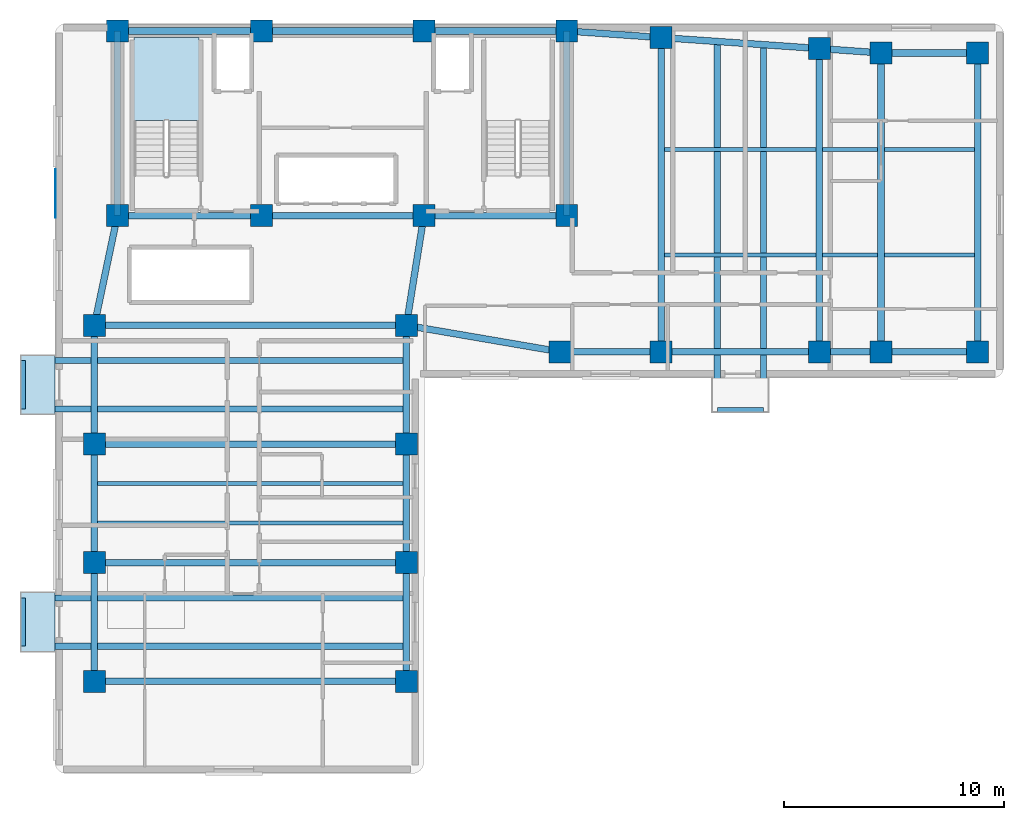
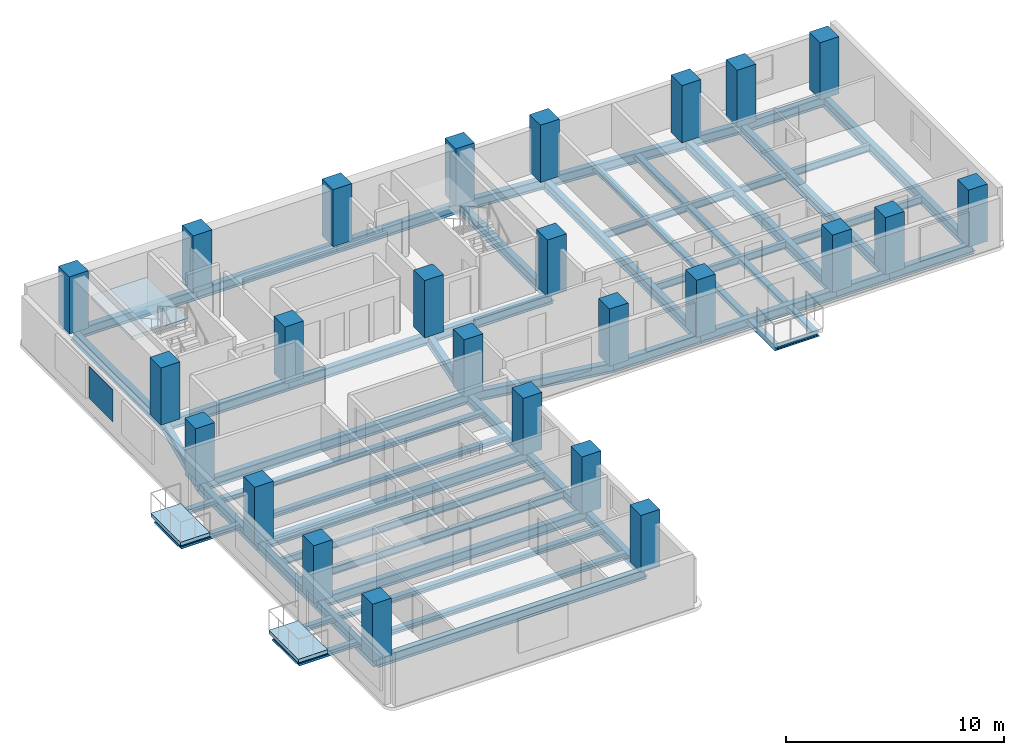
# One storey, part 1 of 7: 50 beams, 25 columns, 3 slabs, 1 plate, 1 element without a shape of its own.
"""IFC4 building model written with IfcOpenShell, lengths in metres."""

from ifc_helpers import new_model, si_unit, direction, frame, origin, origin_2d, place, context, subcontext, project, spatial, polyline, rectangle, i_section, outline, extrude, material, layer, layer_set, material_profile, profile_set, type_object, element, aggregate, save


model = new_model("IFC4")

# Units and contexts
model_context = context("Model", 3, precision=1e-05, world=origin(), true_north=direction((0.0, 1.0)))
body_context = subcontext(model_context, "Body", "Model", "MODEL_VIEW")
ifc_project = project(units=[si_unit("LENGTHUNIT", "METRE"), si_unit("AREAUNIT", "SQUARE_METRE"), si_unit("VOLUMEUNIT", "CUBIC_METRE"), si_unit("PLANEANGLEUNIT", "RADIAN"), si_unit("MASSUNIT", "GRAM", prefix="KILO")], contexts=[model_context])

# Site, building, storey
site_placement = place(None, origin())
site = spatial("IfcSite", under=ifc_project, at=site_placement, CompositionType="ELEMENT")
building_placement = place(site_placement, origin())
building = spatial("IfcBuilding", under=site, at=building_placement, Name="Kuzgunbayir Cultural Tower", CompositionType="ELEMENT")
storey_placement = place(building_placement, frame((0.0, 0.0, 145.800048828125)))
storey = spatial("IfcBuildingStorey", under=building, at=storey_placement, Name="L42", CompositionType="ELEMENT", Elevation=145.800048828125)

# Columns
ifc_material_1 = material(Name="Concrete C50/60", Category="concrete")
ifc_material_profile_1 = material_profile(ifc_material_1, rectangle(XDim=1.0, YDim=1.0, at=origin_2d()), Name="RC 1000x1000")
ifc_profile_set_1 = profile_set([ifc_material_profile_1], Name="Concrete C50/60")
column_type_1 = type_object("IfcColumnType", Name="COL-CORE-1000", PredefinedType="COLUMN", material=ifc_profile_set_1)
for number, where, z_axis, x_axis, name in (
    (1, (6.449951171875, 33.800048828125, 0.0), (0.0, 0.0, 1.0), (1.0, 0.0, 0.0), "L42 T1 Core Boundary Column CC1-1"),
    (2, (13.0, 33.800048828125, 0.0), (0.0, 0.0, 1.0), (1.0, 0.0, 0.0), "L42 T1 Core Boundary Column CC1-2"),
    (3, (20.39990234375, 33.800048828125, 0.0), (0.0, 0.0, 1.0), (1.0, 0.0, 0.0), "L42 T1 Core Boundary Column CC1-3"),
    (4, (26.89990234375, 33.800048828125, 0.0), (0.0, 0.0, 1.0), (1.0, 0.0, 0.0), "L42 T1 Core Boundary Column CC1-4"),
    (5, (6.449951171875, 42.199951171875, 0.0), (0.0, 0.0, 1.0), (1.0, 0.0, 0.0), "L42 T1 Core Boundary Column CC1-5"),
    (6, (13.0, 42.199951171875, 0.0), (0.0, 0.0, 1.0), (1.0, 0.0, 0.0), "L42 T1 Core Boundary Column CC1-6"),
    (7, (20.39990234375, 42.199951171875, 0.0), (0.0, 0.0, 1.0), (1.0, 0.0, 0.0), "L42 T1 Core Boundary Column CC1-7"),
    (8, (26.89990234375, 42.199951171875, 0.0), (0.0, 0.0, 1.0), (1.0, 0.0, 0.0), "L42 T1 Core Boundary Column CC1-8"),
):
    element("IfcColumn", number, at=place(storey_placement, frame(where, z_axis=z_axis, x_axis=x_axis)), inside=storey, type_object=column_type_1, Name=name, PredefinedType="COLUMN", context=body_context, shape_type="SweptSolid", body=[
        extrude(rectangle(XDim=1.0, YDim=1.0, at=origin_2d()), origin(), (0.0, 0.0, 1.0), 3.199951171875),
    ])
ifc_material_profile_2 = material_profile(ifc_material_1, rectangle(XDim=1.0, YDim=1.0, at=origin_2d()), Name="RC 1000x1000")
ifc_profile_set_2 = profile_set([ifc_material_profile_2], Name="Concrete C50/60")
column_type_2 = type_object("IfcColumnType", Name="COL-T1-1000", PredefinedType="COLUMN", material=ifc_profile_set_2)
for number, where, z_axis, x_axis, name in (
    (9, (5.39990234375, 12.60009765625, 0.0), (0.0, 0.0, 1.0), (1.0, 0.0, 0.0), "L42 Tower 1 Wing A Column T1A-W-1"),
    (10, (19.60009765625, 12.60009765625, 0.0), (0.0, 0.0, 1.0), (1.0, 0.0, 0.0), "L42 Tower 1 Wing A Column T1A-E-1"),
    (11, (5.39990234375, 18.0, 0.0), (0.0, 0.0, 1.0), (1.0, 0.0, 0.0), "L42 Tower 1 Wing A Column T1A-W-2"),
    (12, (19.60009765625, 18.0, 0.0), (0.0, 0.0, 1.0), (1.0, 0.0, 0.0), "L42 Tower 1 Wing A Column T1A-E-2"),
    (13, (5.39990234375, 23.39990234375, 0.0), (0.0, 0.0, 1.0), (1.0, 0.0, 0.0), "L42 Tower 1 Wing A Column T1A-W-3"),
    (14, (19.60009765625, 23.39990234375, 0.0), (0.0, 0.0, 1.0), (1.0, 0.0, 0.0), "L42 Tower 1 Wing A Column T1A-E-3"),
    (15, (5.39990234375, 28.800048828125, 0.0), (0.0, 0.0, 1.0), (1.0, 0.0, 0.0), "L42 Tower 1 Wing A Column T1A-W-4"),
    (16, (19.60009765625, 28.800048828125, 0.0), (0.0, 0.0, 1.0), (1.0, 0.0, 0.0), "L42 Tower 1 Wing A Column T1A-E-4"),
    (17, (26.60009765625, 27.60009765625, 0.0), (0.0, 0.0, 1.0), (1.0, 0.0, 0.0), "L42 Tower 1 Wing B Column T1B-1-1"),
    (18, (31.199951171875, 27.60009765625, 0.0), (0.0, 0.0, 1.0), (1.0, 0.0, 0.0), "L42 Tower 1 Wing B Column T1B-2-1"),
    (19, (31.199951171875, 41.89990234375, 0.0), (0.0, 0.0, 1.0), (1.0, 0.0, 0.0), "L42 Tower 1 Wing B Column T1B-2-2"),
    (20, (38.39990234375, 27.60009765625, 0.0), (0.0, 0.0, 1.0), (1.0, 0.0, 0.0), "L42 Tower 1 Wing B Column T1B-3-1"),
    (21, (38.39990234375, 41.39990234375, 0.0), (0.0, 0.0, 1.0), (1.0, 0.0, 0.0), "L42 Tower 1 Wing B Column T1B-3-2"),
    (22, (41.199951171875, 27.60009765625, 0.0), (0.0, 0.0, 1.0), (1.0, 0.0, 0.0), "L42 Tower 1 Wing B Column T1B-4-1"),
    (23, (41.199951171875, 41.199951171875, 0.0), (0.0, 0.0, 1.0), (1.0, 0.0, 0.0), "L42 Tower 1 Wing B Column T1B-4-2"),
    (24, (45.60009765625, 27.60009765625, 0.0), (0.0, 0.0, 1.0), (1.0, 0.0, 0.0), "L42 Tower 1 Wing B Column T1B-5-1"),
    (25, (45.60009765625, 41.199951171875, 0.0), (0.0, 0.0, 1.0), (1.0, 0.0, 0.0), "L42 Tower 1 Wing B Column T1B-5-2"),
):
    element("IfcColumn", number, at=place(storey_placement, frame(where, z_axis=z_axis, x_axis=x_axis)), inside=storey, type_object=column_type_2, Name=name, PredefinedType="COLUMN", context=body_context, shape_type="SweptSolid", body=[
        extrude(rectangle(XDim=1.0, YDim=1.0, at=origin_2d()), origin(), (0.0, 0.0, 1.0), 3.199951171875),
    ])

# Beams
ifc_material_2 = material(Name="Steel S355J2", Category="steel")
ifc_material_profile_3 = material_profile(ifc_material_2, i_section(OverallWidth=0.280029296875, OverallDepth=0.280029296875, WebThickness=0.010498046875, FlangeThickness=0.01806640625, FilletRadius=0.02392578125, at=origin_2d()), Name="HEB 280")
ifc_profile_set_3 = profile_set([ifc_material_profile_3], Name="Steel S355J2")
beam_type_1 = type_object("IfcBeamType", Name="BM-BAL-HEB280", PredefinedType="BEAM", material=ifc_profile_set_3)
for number, where, z_axis, x_axis, name in (
    (26, (2.159912109375, 14.199951171875, -0.340087890625), (1.0, 0.0, 0.0), (0.0, 1.0, 0.0), "L42 Balcony Outrigger Beam BAL-L42-WA1.1"),
    (27, (2.159912109375, 16.39990234375, -0.340087890625), (1.0, 0.0, 0.0), (0.0, 1.0, 0.0), "L42 Balcony Outrigger Beam BAL-L42-WA1.2"),
    (28, (2.159912109375, 25.0, -0.340087890625), (1.0, 0.0, 0.0), (0.0, 1.0, 0.0), "L42 Balcony Outrigger Beam BAL-L42-WA3.1"),
    (29, (2.159912109375, 27.199951171875, -0.340087890625), (1.0, 0.0, 0.0), (0.0, 1.0, 0.0), "L42 Balcony Outrigger Beam BAL-L42-WA3.2"),
):
    element("IfcBeam", number, at=place(storey_placement, frame(where, z_axis=z_axis, x_axis=x_axis)), inside=storey, type_object=beam_type_1, Name=name, PredefinedType="BEAM", context=body_context, shape_type="SweptSolid", body=[
        extrude(i_section(OverallWidth=0.280029296875, OverallDepth=0.280029296875, WebThickness=0.010498046875, FlangeThickness=0.01806640625, FilletRadius=0.02392578125, at=origin_2d()), origin(), (0.0, 0.0, 1.0), 17.440185546875),
    ])
beam_1_placement = place(storey_placement, frame((33.75, 24.9599609375, -0.340087890625), z_axis=(0.0, 1.0, 0.0), x_axis=(-1.0, 0.0, 0.0)))
element("IfcBeam", 30, at=beam_1_placement, inside=storey, type_object=beam_type_1, Name="L42 Balcony Outrigger Beam BAL-L42-WB2.1", PredefinedType="BEAM", context=body_context, shape_type="SweptSolid", body=[
    extrude(i_section(OverallWidth=0.280029296875, OverallDepth=0.280029296875, WebThickness=0.010498046875, FlangeThickness=0.01806640625, FilletRadius=0.02392578125, at=origin_2d()), origin(), (0.0, 0.0, 1.0), 16.760009765625),
])
beam_2_placement = place(storey_placement, frame((35.85009765625, 24.9599609375, -0.340087890625), z_axis=(0.0, 1.0, 0.0), x_axis=(-1.0, 0.0, 0.0)))
element("IfcBeam", 31, at=beam_2_placement, inside=storey, type_object=beam_type_1, Name="L42 Balcony Outrigger Beam BAL-L42-WB2.2", PredefinedType="BEAM", context=body_context, shape_type="SweptSolid", body=[
    extrude(i_section(OverallWidth=0.280029296875, OverallDepth=0.280029296875, WebThickness=0.010498046875, FlangeThickness=0.01806640625, FilletRadius=0.02392578125, at=origin_2d()), origin(), (0.0, 0.0, 1.0), 16.6201171875),
])
ifc_material_profile_4 = material_profile(ifc_material_2, i_section(OverallWidth=0.199951171875, OverallDepth=0.199951171875, WebThickness=0.009033203125, FlangeThickness=0.014892578125, FilletRadius=0.01806640625, at=origin_2d()), Name="HEB 200")
ifc_profile_set_4 = profile_set([ifc_material_profile_4], Name="Steel S355J2")
beam_type_2 = type_object("IfcBeamType", Name="BM-CAN-HEB200", PredefinedType="BEAM", material=ifc_profile_set_4)
for number, where, z_axis, x_axis, name in (
    (32, (2.159912109375, 14.199951171875, -0.300048828125), (0.0, 1.0, 0.0), (-1.0, 0.0, 0.0), "L42 Balcony Edge Header BAL-L42-WA1"),
    (33, (2.159912109375, 25.0, -0.300048828125), (0.0, 1.0, 0.0), (-1.0, 0.0, 0.0), "L42 Balcony Edge Header BAL-L42-WA3"),
):
    element("IfcBeam", number, at=place(storey_placement, frame(where, z_axis=z_axis, x_axis=x_axis)), inside=storey, type_object=beam_type_2, Name=name, PredefinedType="BEAM", context=body_context, shape_type="SweptSolid", body=[
        extrude(i_section(OverallWidth=0.199951171875, OverallDepth=0.199951171875, WebThickness=0.009033203125, FlangeThickness=0.014892578125, FilletRadius=0.01806640625, at=origin_2d()), origin(), (0.0, 0.0, 1.0), 2.199951171875),
    ])
beam_3_placement = place(storey_placement, frame((33.75, 24.9599609375, -0.300048828125), z_axis=(1.0, 0.0, 0.0), x_axis=(0.0, 1.0, 0.0)))
element("IfcBeam", 34, at=beam_3_placement, inside=storey, type_object=beam_type_2, Name="L42 Balcony Edge Header BAL-L42-WB2", PredefinedType="BEAM", context=body_context, shape_type="SweptSolid", body=[
    extrude(i_section(OverallWidth=0.199951171875, OverallDepth=0.199951171875, WebThickness=0.009033203125, FlangeThickness=0.014892578125, FilletRadius=0.01806640625, at=origin_2d()), origin(), (0.0, 0.0, 1.0), 2.10009765625),
])
ifc_material_profile_5 = material_profile(ifc_material_2, i_section(OverallWidth=0.300048828125, OverallDepth=0.550048828125, WebThickness=0.014892578125, FlangeThickness=0.029052734375, FilletRadius=0.027099609375, at=origin_2d()), Name="HEB 550")
ifc_profile_set_5 = profile_set([ifc_material_profile_5], Name="Steel S355J2")
beam_type_3 = type_object("IfcBeamType", Name="BM-EXT-HEB550", PredefinedType="BEAM", material=ifc_profile_set_5)
for number, where, z_axis, x_axis, name in (
    (35, (5.39990234375, 12.60009765625, -0.4599609375), (0.0, 1.0, 0.0), (-1.0, 0.0, 0.0), "L42 Wing A West Girder 1"),
    (36, (19.60009765625, 12.60009765625, -0.4599609375), (0.0, 1.0, 0.0), (-1.0, 0.0, 0.0), "L42 Wing A East Girder 1"),
    (37, (5.39990234375, 18.0, -0.4599609375), (0.0, 1.0, 0.0), (-1.0, 0.0, 0.0), "L42 Wing A West Girder 2"),
    (38, (19.60009765625, 18.0, -0.4599609375), (0.0, 1.0, 0.0), (-1.0, 0.0, 0.0), "L42 Wing A East Girder 2"),
):
    element("IfcBeam", number, at=place(storey_placement, frame(where, z_axis=z_axis, x_axis=x_axis)), inside=storey, type_object=beam_type_3, Name=name, PredefinedType="BEAM", context=body_context, shape_type="SweptSolid", body=[
        extrude(i_section(OverallWidth=0.300048828125, OverallDepth=0.550048828125, WebThickness=0.014892578125, FlangeThickness=0.029052734375, FilletRadius=0.027099609375, at=origin_2d()), origin(), (0.0, 0.0, 1.0), 5.39990234375),
    ])
for number, where, z_axis, x_axis, name in (
    (39, (5.39990234375, 23.39990234375, -0.4599609375), (0.0, 1.0, 0.0), (-1.0, 0.0, 0.0), "L42 Wing A West Girder 3"),
    (40, (19.60009765625, 23.39990234375, -0.4599609375), (0.0, 1.0, 0.0), (-1.0, 0.0, 0.0), "L42 Wing A East Girder 3"),
):
    element("IfcBeam", number, at=place(storey_placement, frame(where, z_axis=z_axis, x_axis=x_axis)), inside=storey, type_object=beam_type_3, Name=name, PredefinedType="BEAM", context=body_context, shape_type="SweptSolid", body=[
        extrude(i_section(OverallWidth=0.300048828125, OverallDepth=0.550048828125, WebThickness=0.014892578125, FlangeThickness=0.029052734375, FilletRadius=0.027099609375, at=origin_2d()), origin(), (0.0, 0.0, 1.0), 5.400146484375),
    ])
beam_4_placement = place(storey_placement, frame((26.60009765625, 27.60009765625, -0.4599609375), z_axis=(1.0, 0.0, 0.0), x_axis=(0.0, 1.0, 0.0)))
element("IfcBeam", 41, at=beam_4_placement, inside=storey, type_object=beam_type_3, Name="L42 Wing B South Girder 1", PredefinedType="BEAM", context=body_context, shape_type="SweptSolid", body=[
    extrude(i_section(OverallWidth=0.300048828125, OverallDepth=0.550048828125, WebThickness=0.014892578125, FlangeThickness=0.029052734375, FilletRadius=0.027099609375, at=origin_2d()), origin(), (0.0, 0.0, 1.0), 4.599853515625),
])
beam_5_placement = place(storey_placement, frame((26.89990234375, 42.199951171875, -0.4599609375), z_axis=(0.997574369175, -0.069608749203, 0.0), x_axis=(0.069608749203, 0.997574369175, 0.0)))
element("IfcBeam", 42, at=beam_5_placement, inside=storey, type_object=beam_type_3, Name="L42 Wing B North Girder 1", PredefinedType="BEAM", context=body_context, shape_type="SweptSolid", body=[
    extrude(i_section(OverallWidth=0.300048828125, OverallDepth=0.550048828125, WebThickness=0.014892578125, FlangeThickness=0.029052734375, FilletRadius=0.027099609375, at=origin_2d()), origin(), (0.0, 0.0, 1.0), 4.310546875),
])
beam_6_placement = place(storey_placement, frame((31.199951171875, 27.60009765625, -0.4599609375), z_axis=(1.0, 0.0, 0.0), x_axis=(0.0, 1.0, 0.0)))
element("IfcBeam", 43, at=beam_6_placement, inside=storey, type_object=beam_type_3, Name="L42 Wing B South Girder 2", PredefinedType="BEAM", context=body_context, shape_type="SweptSolid", body=[
    extrude(i_section(OverallWidth=0.300048828125, OverallDepth=0.550048828125, WebThickness=0.014892578125, FlangeThickness=0.029052734375, FilletRadius=0.027099609375, at=origin_2d()), origin(), (0.0, 0.0, 1.0), 7.199951171875),
])
beam_7_placement = place(storey_placement, frame((31.199951171875, 41.89990234375, -0.4599609375), z_axis=(0.997597388498, -0.069278066245, 0.0), x_axis=(0.069278066245, 0.997597388498, 0.0)))
element("IfcBeam", 44, at=beam_7_placement, inside=storey, type_object=beam_type_3, Name="L42 Wing B North Girder 2", PredefinedType="BEAM", context=body_context, shape_type="SweptSolid", body=[
    extrude(i_section(OverallWidth=0.300048828125, OverallDepth=0.550048828125, WebThickness=0.014892578125, FlangeThickness=0.029052734375, FilletRadius=0.027099609375, at=origin_2d()), origin(), (0.0, 0.0, 1.0), 7.21728515625),
])
beam_8_placement = place(storey_placement, frame((38.39990234375, 27.60009765625, -0.4599609375), z_axis=(1.0, 0.0, 0.0), x_axis=(0.0, 1.0, 0.0)))
element("IfcBeam", 45, at=beam_8_placement, inside=storey, type_object=beam_type_3, Name="L42 Wing B South Girder 3", PredefinedType="BEAM", context=body_context, shape_type="SweptSolid", body=[
    extrude(i_section(OverallWidth=0.300048828125, OverallDepth=0.550048828125, WebThickness=0.014892578125, FlangeThickness=0.029052734375, FilletRadius=0.027099609375, at=origin_2d()), origin(), (0.0, 0.0, 1.0), 2.800048828125),
])
beam_9_placement = place(storey_placement, frame((38.39990234375, 41.39990234375, -0.4599609375), z_axis=(0.997460024076, -0.071228508128, 0.0), x_axis=(0.071228508128, 0.997460024076, 0.0)))
element("IfcBeam", 46, at=beam_9_placement, inside=storey, type_object=beam_type_3, Name="L42 Wing B North Girder 3", PredefinedType="BEAM", context=body_context, shape_type="SweptSolid", body=[
    extrude(i_section(OverallWidth=0.300048828125, OverallDepth=0.550048828125, WebThickness=0.014892578125, FlangeThickness=0.029052734375, FilletRadius=0.027099609375, at=origin_2d()), origin(), (0.0, 0.0, 1.0), 2.80712890625),
])
for number, where, z_axis, x_axis, name in (
    (47, (41.199951171875, 27.60009765625, -0.4599609375), (1.0, 0.0, 0.0), (0.0, 1.0, 0.0), "L42 Wing B South Girder 4"),
    (48, (41.199951171875, 41.199951171875, -0.4599609375), (1.0, 0.0, 0.0), (0.0, 1.0, 0.0), "L42 Wing B North Girder 4"),
):
    element("IfcBeam", number, at=place(storey_placement, frame(where, z_axis=z_axis, x_axis=x_axis)), inside=storey, type_object=beam_type_3, Name=name, PredefinedType="BEAM", context=body_context, shape_type="SweptSolid", body=[
        extrude(i_section(OverallWidth=0.300048828125, OverallDepth=0.550048828125, WebThickness=0.014892578125, FlangeThickness=0.029052734375, FilletRadius=0.027099609375, at=origin_2d()), origin(), (0.0, 0.0, 1.0), 4.400146484375),
    ])
ifc_material_profile_6 = material_profile(ifc_material_2, i_section(OverallWidth=0.300048828125, OverallDepth=0.550048828125, WebThickness=0.014892578125, FlangeThickness=0.029052734375, FilletRadius=0.027099609375, at=origin_2d()), Name="HEB 550")
ifc_profile_set_6 = profile_set([ifc_material_profile_6], Name="Steel S355J2")
beam_type_4 = type_object("IfcBeamType", Name="BM-GIR-HEB550", PredefinedType="BEAM", material=ifc_profile_set_6)
beam_10_placement = place(storey_placement, frame((6.449951171875, 33.800048828125, -0.4599609375), z_axis=(1.0, 0.0, 0.0), x_axis=(0.0, 1.0, 0.0)))
element("IfcBeam", 49, at=beam_10_placement, inside=storey, type_object=beam_type_4, Name="L42 Core South Girder 1", PredefinedType="BEAM", context=body_context, shape_type="SweptSolid", body=[
    extrude(i_section(OverallWidth=0.300048828125, OverallDepth=0.550048828125, WebThickness=0.014892578125, FlangeThickness=0.029052734375, FilletRadius=0.027099609375, at=origin_2d()), origin(), (0.0, 0.0, 1.0), 6.550048828125),
])
beam_11_placement = place(storey_placement, frame((13.0, 33.800048828125, -0.4599609375), z_axis=(1.0, 0.0, 0.0), x_axis=(0.0, 1.0, 0.0)))
element("IfcBeam", 50, at=beam_11_placement, inside=storey, type_object=beam_type_4, Name="L42 Core South Girder 2", PredefinedType="BEAM", context=body_context, shape_type="SweptSolid", body=[
    extrude(i_section(OverallWidth=0.300048828125, OverallDepth=0.550048828125, WebThickness=0.014892578125, FlangeThickness=0.029052734375, FilletRadius=0.027099609375, at=origin_2d()), origin(), (0.0, 0.0, 1.0), 7.39990234375),
])
beam_12_placement = place(storey_placement, frame((20.39990234375, 33.800048828125, -0.4599609375), z_axis=(1.0, 0.0, 0.0), x_axis=(0.0, 1.0, 0.0)))
element("IfcBeam", 51, at=beam_12_placement, inside=storey, type_object=beam_type_4, Name="L42 Core South Girder 3", PredefinedType="BEAM", context=body_context, shape_type="SweptSolid", body=[
    extrude(i_section(OverallWidth=0.300048828125, OverallDepth=0.550048828125, WebThickness=0.014892578125, FlangeThickness=0.029052734375, FilletRadius=0.027099609375, at=origin_2d()), origin(), (0.0, 0.0, 1.0), 6.5),
])
beam_13_placement = place(storey_placement, frame((6.449951171875, 42.199951171875, -0.4599609375), z_axis=(1.0, 0.0, 0.0), x_axis=(0.0, 1.0, 0.0)))
element("IfcBeam", 52, at=beam_13_placement, inside=storey, type_object=beam_type_4, Name="L42 Core North Girder 1", PredefinedType="BEAM", context=body_context, shape_type="SweptSolid", body=[
    extrude(i_section(OverallWidth=0.300048828125, OverallDepth=0.550048828125, WebThickness=0.014892578125, FlangeThickness=0.029052734375, FilletRadius=0.027099609375, at=origin_2d()), origin(), (0.0, 0.0, 1.0), 6.550048828125),
])
beam_14_placement = place(storey_placement, frame((13.0, 42.199951171875, -0.4599609375), z_axis=(1.0, 0.0, 0.0), x_axis=(0.0, 1.0, 0.0)))
element("IfcBeam", 53, at=beam_14_placement, inside=storey, type_object=beam_type_4, Name="L42 Core North Girder 2", PredefinedType="BEAM", context=body_context, shape_type="SweptSolid", body=[
    extrude(i_section(OverallWidth=0.300048828125, OverallDepth=0.550048828125, WebThickness=0.014892578125, FlangeThickness=0.029052734375, FilletRadius=0.027099609375, at=origin_2d()), origin(), (0.0, 0.0, 1.0), 7.39990234375),
])
beam_15_placement = place(storey_placement, frame((20.39990234375, 42.199951171875, -0.4599609375), z_axis=(1.0, 0.0, 0.0), x_axis=(0.0, 1.0, 0.0)))
element("IfcBeam", 54, at=beam_15_placement, inside=storey, type_object=beam_type_4, Name="L42 Core North Girder 3", PredefinedType="BEAM", context=body_context, shape_type="SweptSolid", body=[
    extrude(i_section(OverallWidth=0.300048828125, OverallDepth=0.550048828125, WebThickness=0.014892578125, FlangeThickness=0.029052734375, FilletRadius=0.027099609375, at=origin_2d()), origin(), (0.0, 0.0, 1.0), 6.5),
])
for number, where, z_axis, x_axis, name in (
    (55, (6.449951171875, 33.800048828125, -0.4599609375), (0.0, 1.0, 0.0), (-1.0, 0.0, 0.0), "L42 Core West Edge Girder"),
    (56, (26.89990234375, 33.800048828125, -0.4599609375), (0.0, 1.0, 0.0), (-1.0, 0.0, 0.0), "L42 Core East Edge Girder"),
):
    element("IfcBeam", number, at=place(storey_placement, frame(where, z_axis=z_axis, x_axis=x_axis)), inside=storey, type_object=beam_type_4, Name=name, PredefinedType="BEAM", context=body_context, shape_type="SweptSolid", body=[
        extrude(i_section(OverallWidth=0.300048828125, OverallDepth=0.550048828125, WebThickness=0.014892578125, FlangeThickness=0.029052734375, FilletRadius=0.027099609375, at=origin_2d()), origin(), (0.0, 0.0, 1.0), 8.39990234375),
    ])
for number, where, z_axis, x_axis, name in (
    (57, (5.39990234375, 12.60009765625, -0.4599609375), (1.0, 0.0, 0.0), (0.0, 1.0, 0.0), "L42 Wing A Transverse Girder 1"),
    (58, (5.39990234375, 18.0, -0.4599609375), (1.0, 0.0, 0.0), (0.0, 1.0, 0.0), "L42 Wing A Transverse Girder 2"),
    (59, (5.39990234375, 23.39990234375, -0.4599609375), (1.0, 0.0, 0.0), (0.0, 1.0, 0.0), "L42 Wing A Transverse Girder 3"),
    (60, (5.39990234375, 28.800048828125, -0.4599609375), (1.0, 0.0, 0.0), (0.0, 1.0, 0.0), "L42 Wing A Transverse Girder 4"),
):
    element("IfcBeam", number, at=place(storey_placement, frame(where, z_axis=z_axis, x_axis=x_axis)), inside=storey, type_object=beam_type_4, Name=name, PredefinedType="BEAM", context=body_context, shape_type="SweptSolid", body=[
        extrude(i_section(OverallWidth=0.300048828125, OverallDepth=0.550048828125, WebThickness=0.014892578125, FlangeThickness=0.029052734375, FilletRadius=0.027099609375, at=origin_2d()), origin(), (0.0, 0.0, 1.0), 14.2001953125),
    ])
beam_16_placement = place(storey_placement, frame((5.39990234375, 28.800048828125, -0.4599609375), z_axis=(0.205526387753, 0.978651574329, 0.0), x_axis=(-0.978651574329, 0.205526387753, 0.0)))
element("IfcBeam", 61, at=beam_16_placement, inside=storey, type_object=beam_type_4, Name="L42 Wing A West Core Floor Girder", PredefinedType="BEAM", context=body_context, shape_type="SweptSolid", body=[
    extrude(i_section(OverallWidth=0.300048828125, OverallDepth=0.550048828125, WebThickness=0.014892578125, FlangeThickness=0.029052734375, FilletRadius=0.027099609375, at=origin_2d()), origin(), (0.0, 0.0, 1.0), 5.109130859375),
])
beam_17_placement = place(storey_placement, frame((19.60009765625, 28.800048828125, -0.4599609375), z_axis=(0.157952891656, 0.987446648694, 0.0), x_axis=(-0.987446648694, 0.157952891656, 0.0)))
element("IfcBeam", 62, at=beam_17_placement, inside=storey, type_object=beam_type_4, Name="L42 Wing A East Core Floor Girder", PredefinedType="BEAM", context=body_context, shape_type="SweptSolid", body=[
    extrude(i_section(OverallWidth=0.300048828125, OverallDepth=0.550048828125, WebThickness=0.014892578125, FlangeThickness=0.029052734375, FilletRadius=0.027099609375, at=origin_2d()), origin(), (0.0, 0.0, 1.0), 5.0634765625),
])
beam_18_placement = place(storey_placement, frame((31.199951171875, 27.60009765625, -0.4599609375), z_axis=(0.0, 1.0, 0.0), x_axis=(-1.0, 0.0, 0.0)))
element("IfcBeam", 63, at=beam_18_placement, inside=storey, type_object=beam_type_4, Name="L42 Wing B Cross Girder 31", PredefinedType="BEAM", context=body_context, shape_type="SweptSolid", body=[
    extrude(i_section(OverallWidth=0.300048828125, OverallDepth=0.550048828125, WebThickness=0.014892578125, FlangeThickness=0.029052734375, FilletRadius=0.027099609375, at=origin_2d()), origin(), (0.0, 0.0, 1.0), 14.2998046875),
])
beam_19_placement = place(storey_placement, frame((38.39990234375, 27.60009765625, -0.4599609375), z_axis=(0.0, 1.0, 0.0), x_axis=(-1.0, 0.0, 0.0)))
element("IfcBeam", 64, at=beam_19_placement, inside=storey, type_object=beam_type_4, Name="L42 Wing B Cross Girder 38", PredefinedType="BEAM", context=body_context, shape_type="SweptSolid", body=[
    extrude(i_section(OverallWidth=0.300048828125, OverallDepth=0.550048828125, WebThickness=0.014892578125, FlangeThickness=0.029052734375, FilletRadius=0.027099609375, at=origin_2d()), origin(), (0.0, 0.0, 1.0), 13.7998046875),
])
for number, where, z_axis, x_axis, name in (
    (65, (41.199951171875, 27.60009765625, -0.4599609375), (0.0, 1.0, 0.0), (-1.0, 0.0, 0.0), "L42 Wing B Cross Girder 41"),
    (66, (45.60009765625, 27.60009765625, -0.4599609375), (0.0, 1.0, 0.0), (-1.0, 0.0, 0.0), "L42 Wing B Cross Girder 45"),
):
    element("IfcBeam", number, at=place(storey_placement, frame(where, z_axis=z_axis, x_axis=x_axis)), inside=storey, type_object=beam_type_4, Name=name, PredefinedType="BEAM", context=body_context, shape_type="SweptSolid", body=[
        extrude(i_section(OverallWidth=0.300048828125, OverallDepth=0.550048828125, WebThickness=0.014892578125, FlangeThickness=0.029052734375, FilletRadius=0.027099609375, at=origin_2d()), origin(), (0.0, 0.0, 1.0), 13.599853515625),
    ])
beam_20_placement = place(storey_placement, frame((19.60009765625, 28.800048828125, -0.4599609375), z_axis=(0.985623399742, -0.168957136221, 0.0), x_axis=(0.168957136221, 0.985623399742, 0.0)))
element("IfcBeam", 67, at=beam_20_placement, inside=storey, type_object=beam_type_4, Name="L42 Wing B Waist Tie Girder", PredefinedType="BEAM", context=body_context, shape_type="SweptSolid", body=[
    extrude(i_section(OverallWidth=0.300048828125, OverallDepth=0.550048828125, WebThickness=0.014892578125, FlangeThickness=0.029052734375, FilletRadius=0.027099609375, at=origin_2d()), origin(), (0.0, 0.0, 1.0), 7.10205078125),
])
ifc_material_profile_7 = material_profile(ifc_material_2, i_section(OverallWidth=0.179931640625, OverallDepth=0.39990234375, WebThickness=0.008544921875, FlangeThickness=0.013427734375, FilletRadius=0.02099609375, at=origin_2d()), Name="IPE 400")
ifc_profile_set_7 = profile_set([ifc_material_profile_7], Name="Steel S355J2")
beam_type_5 = type_object("IfcBeamType", Name="BM-JST-IPE400", PredefinedType="JOIST", material=ifc_profile_set_7)
for number, where, z_axis, x_axis, name in (
    (68, (5.550048828125, 19.800048828125, -0.380126953125), (1.0, 0.0, 0.0), (0.0, 1.0, 0.0), "L42 Wing A Secondary Joist 3"),
    (69, (5.550048828125, 21.60009765625, -0.380126953125), (1.0, 0.0, 0.0), (0.0, 1.0, 0.0), "L42 Wing A Secondary Joist 4"),
):
    element("IfcBeam", number, at=place(storey_placement, frame(where, z_axis=z_axis, x_axis=x_axis)), inside=storey, type_object=beam_type_5, Name=name, PredefinedType="JOIST", context=body_context, shape_type="SweptSolid", body=[
        extrude(i_section(OverallWidth=0.179931640625, OverallDepth=0.39990234375, WebThickness=0.008544921875, FlangeThickness=0.013427734375, FilletRadius=0.02099609375, at=origin_2d()), origin(), (0.0, 0.0, 1.0), 13.89990234375),
    ])
for number, where, z_axis, x_axis, name in (
    (70, (31.35009765625, 32.0, -0.380126953125), (1.0, 0.0, 0.0), (0.0, 1.0, 0.0), "L42 Wing B Secondary Joist 1.1"),
    (71, (31.35009765625, 36.800048828125, -0.380126953125), (1.0, 0.0, 0.0), (0.0, 1.0, 0.0), "L42 Wing B Secondary Joist 1.2"),
):
    element("IfcBeam", number, at=place(storey_placement, frame(where, z_axis=z_axis, x_axis=x_axis)), inside=storey, type_object=beam_type_5, Name=name, PredefinedType="JOIST", context=body_context, shape_type="SweptSolid", body=[
        extrude(i_section(OverallWidth=0.179931640625, OverallDepth=0.39990234375, WebThickness=0.008544921875, FlangeThickness=0.013427734375, FilletRadius=0.02099609375, at=origin_2d()), origin(), (0.0, 0.0, 1.0), 6.89990234375),
    ])
for number, where, z_axis, x_axis, name in (
    (72, (38.550048828125, 32.0, -0.380126953125), (1.0, 0.0, 0.0), (0.0, 1.0, 0.0), "L42 Wing B Secondary Joist 2.1"),
    (73, (38.550048828125, 36.800048828125, -0.380126953125), (1.0, 0.0, 0.0), (0.0, 1.0, 0.0), "L42 Wing B Secondary Joist 2.2"),
):
    element("IfcBeam", number, at=place(storey_placement, frame(where, z_axis=z_axis, x_axis=x_axis)), inside=storey, type_object=beam_type_5, Name=name, PredefinedType="JOIST", context=body_context, shape_type="SweptSolid", body=[
        extrude(i_section(OverallWidth=0.179931640625, OverallDepth=0.39990234375, WebThickness=0.008544921875, FlangeThickness=0.013427734375, FilletRadius=0.02099609375, at=origin_2d()), origin(), (0.0, 0.0, 1.0), 2.5),
    ])
for number, where, z_axis, x_axis, name in (
    (74, (41.35009765625, 32.0, -0.380126953125), (1.0, 0.0, 0.0), (0.0, 1.0, 0.0), "L42 Wing B Secondary Joist 3.1"),
    (75, (41.35009765625, 36.800048828125, -0.380126953125), (1.0, 0.0, 0.0), (0.0, 1.0, 0.0), "L42 Wing B Secondary Joist 3.2"),
):
    element("IfcBeam", number, at=place(storey_placement, frame(where, z_axis=z_axis, x_axis=x_axis)), inside=storey, type_object=beam_type_5, Name=name, PredefinedType="JOIST", context=body_context, shape_type="SweptSolid", body=[
        extrude(i_section(OverallWidth=0.179931640625, OverallDepth=0.39990234375, WebThickness=0.008544921875, FlangeThickness=0.013427734375, FilletRadius=0.02099609375, at=origin_2d()), origin(), (0.0, 0.0, 1.0), 4.099853515625),
    ])

# Plate
ifc_material_3 = material(Name="Perforated Bronze-Anodised Aluminium", Category="aluminium")
ifc_layer_1 = layer(ifc_material_3, 0.02392578125)
ifc_layer_set_1 = layer_set([ifc_layer_1], Name="Perforated Bronze-Anodised Aluminium")
plate_type = type_object("IfcPlateType", Name="PLT-SOLAR-SCREEN-14", PredefinedType="SHEET", material=ifc_layer_set_1)
plate_placement = place(storey_placement, frame((3.639892578125, 34.800048828125, 0.75), z_axis=(0.0, 0.0, 1.0), x_axis=(1.0, 0.0, 0.0)))
element("IfcPlate", 76, at=plate_placement, inside=storey, type_object=plate_type, Name="L42 Tower 1 Perforated Ceramic Solar Screen Panel", PredefinedType="SHEET", context=body_context, shape_type="SweptSolid", body=[
    extrude(rectangle(XDim=0.02392578125, YDim=2.199951171875, at=origin_2d()), origin(), (0.0, 0.0, 1.0), 1.800048828125),
])

# Slabs
ifc_material_4 = material(Name="Concrete C40/50", Category="concrete")
ifc_layer_2 = layer(ifc_material_4, 0.199951171875)
ifc_layer_set_2 = layer_set([ifc_layer_2], Name="Concrete C40/50")
slab_type_1 = type_object("IfcSlabType", Name="SLB-BAL-STONE", PredefinedType="FLOOR", material=ifc_layer_set_2)
slab_1_placement = place(storey_placement, frame((0.0, 0.0, -0.199951171875)))
element("IfcSlab", 77, at=slab_1_placement, inside=storey, type_object=slab_type_1, Name="L42 Projecting Limestone Balcony BAL-L42-WA1", PredefinedType="FLOOR", context=body_context, shape_type="SweptSolid", body=[
    extrude(outline(polyline([(2.0400390625, 13.949951171875), (3.60009765625, 13.949951171875), (3.60009765625, 16.64990234375), (2.0400390625, 16.64990234375), (2.0400390625, 13.949951171875)])), origin(), (0.0, 0.0, 1.0), 0.199951171875),
])
slab_2_placement = place(storey_placement, frame((0.0, 0.0, -0.199951171875)))
element("IfcSlab", 78, at=slab_2_placement, inside=storey, type_object=slab_type_1, Name="L42 Projecting Limestone Balcony BAL-L42-WA3", PredefinedType="FLOOR", context=body_context, shape_type="SweptSolid", body=[
    extrude(outline(polyline([(2.0400390625, 24.75), (3.60009765625, 24.75), (3.60009765625, 27.449951171875), (2.0400390625, 27.449951171875), (2.0400390625, 24.75)])), origin(), (0.0, 0.0, 1.0), 0.199951171875),
])

# Stair, slab
stair_type = type_object("IfcStairType", Name="STR-EXIT-CORE", PredefinedType="HALF_TURN_STAIR", material=ifc_material_4)
stair_placement = place(storey_placement, origin())
stair = element("IfcStair", 79, at=stair_placement, inside=storey, type_object=stair_type, Name="L42 ST-1", PredefinedType="HALF_TURN_STAIR")
ifc_layer_3 = layer(ifc_material_4, 0.179931640625)
ifc_layer_set_3 = layer_set([ifc_layer_3], Name="Concrete C40/50")
slab_type_2 = type_object("IfcSlabType", Name="SLB-LANDING-180", PredefinedType="LANDING", material=ifc_layer_set_3)
slab_3_placement = place(storey_placement, frame((0.0, 0.0, 1.39990234375)))
slab_3 = element("IfcSlab", 80, at=slab_3_placement, type_object=slab_type_2, Name="ST-1 landing 1", PredefinedType="LANDING", context=body_context, shape_type="SweptSolid", body=[
    extrude(outline(polyline([(10.159912109375, 38.1201171875), (10.159912109375, 41.89990234375), (7.199951171875, 41.89990234375), (7.199951171875, 38.1201171875), (10.159912109375, 38.1201171875)])), origin(), (0.0, 0.0, 1.0), 0.199951171875),
])
aggregate(stair, [slab_3])

save(model, "model.ifc")
